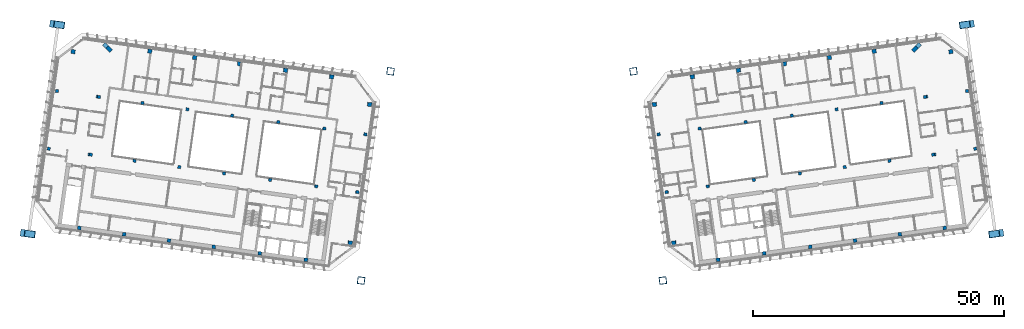
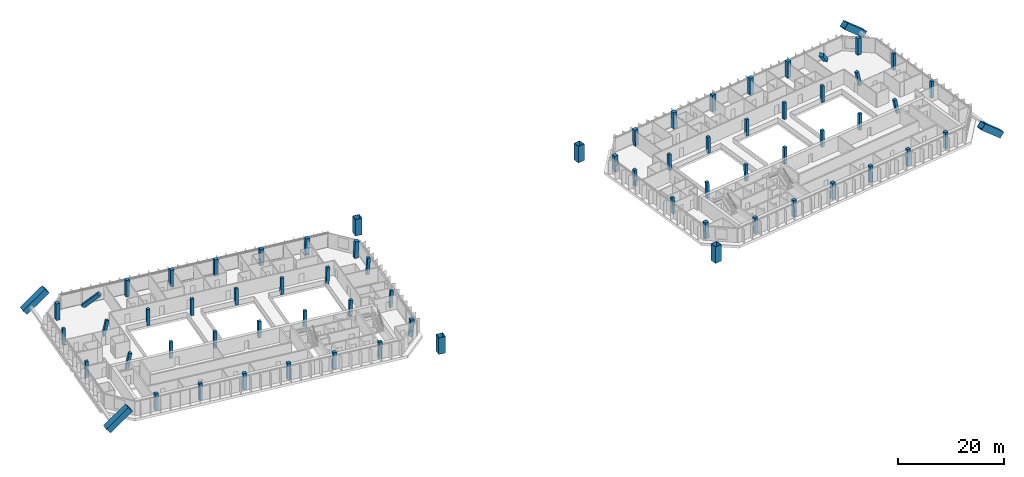
# One storey, part 1 of 32: 70 columns.
"""IFC4 building model written with IfcOpenShell, lengths in metres."""

from ifc_helpers import new_model, si_unit, direction, frame, origin, origin_2d, place, context, subcontext, project, spatial, rectangle, hollow_rectangle, extrude, material, material_profile, profile_set, type_object, element, save


model = new_model("IFC4")

# Units and contexts
model_context = context("Model", 3, precision=1e-05, world=origin(), true_north=direction((0.0, 1.0)))
body_context = subcontext(model_context, "Body", "Model", "MODEL_VIEW")
ifc_project = project(units=[si_unit("LENGTHUNIT", "METRE"), si_unit("AREAUNIT", "SQUARE_METRE"), si_unit("VOLUMEUNIT", "CUBIC_METRE"), si_unit("PLANEANGLEUNIT", "RADIAN"), si_unit("MASSUNIT", "GRAM", prefix="KILO")], contexts=[model_context])

# Site, building, storey
site_placement = place(None, origin())
site = spatial("IfcSite", under=ifc_project, at=site_placement, CompositionType="ELEMENT")
building_placement = place(site_placement, origin())
building = spatial("IfcBuilding", under=site, at=building_placement, Name="Mirante Cascada Hotel Towers", CompositionType="ELEMENT")
storey_placement = place(building_placement, frame((0.0, 0.0, 176.4)))
storey = spatial("IfcBuildingStorey", under=building, at=storey_placement, Name="L41", CompositionType="ELEMENT", Elevation=176.4)

# Columns
ifc_material_1 = material(Name="Steel ASTM A572 Gr 50", Category="steel")
ifc_material_profile_1 = material_profile(ifc_material_1, hollow_rectangle(XDim=1.4, YDim=1.4, WallThickness=0.06, at=origin_2d()), Name="Box column 1400x1400x60 ASTM A572 Gr 50")
ifc_profile_set_1 = profile_set([ifc_material_profile_1], Name="Steel ASTM A572 Gr 50")
column_type_1 = type_object("IfcColumnType", Name="Box column 1400x1400x60 ASTM A572 Gr 50", PredefinedType="COLUMN", material=ifc_profile_set_1)
for number, where, z_axis, x_axis, name in (
    (1, (-24.158, 18.3853, 0.0), (0.0, 0.0, 1.0), (-0.9902681, 0.1391731, 0.0), "Mega column MC1 T1 L41"),
    (2, (-30.0033, -23.2059, 0.0), (0.0, 0.0, 1.0), (-0.9902681, 0.1391731, 0.0), "Mega column MC2 T1 L41"),
):
    element("IfcColumn", number, at=place(storey_placement, frame(where, z_axis=z_axis, x_axis=x_axis)), inside=storey, type_object=column_type_1, Name=name, PredefinedType="COLUMN", context=body_context, shape_type="SweptSolid", body=[
        extrude(hollow_rectangle(XDim=1.4, YDim=1.4, WallThickness=0.06, at=origin_2d()), origin(), (0.0, 0.0, 1.0), 3.8),
    ])
for number, where, z_axis, x_axis, name in (
    (3, (-91.4448, 27.8419, 0.0), (0.7565937, -0.106336, 0.6451811), (0.1391779, 0.9902674, 0.0), "Mega column MC3 T1 L41"),
    (4, (-97.2901, -13.7494, 0.0), (0.7565937, -0.106336, 0.6451811), (0.1391779, 0.9902674, 0.0), "Mega column MC4 T1 L41"),
):
    element("IfcColumn", number, at=place(storey_placement, frame(where, z_axis=z_axis, x_axis=x_axis)), inside=storey, type_object=column_type_1, Name=name, PredefinedType="COLUMN", context=body_context, shape_type="SweptSolid", body=[
        extrude(hollow_rectangle(XDim=1.4, YDim=1.4, WallThickness=0.06, at=origin_2d()), origin(), (0.0, 0.0, 1.0), 5.8898),
    ])
for number, where, z_axis, x_axis, name in (
    (5, (24.158, 18.3853, 0.0), (0.0, 0.0, 1.0), (0.9902681, 0.1391731, 0.0), "Mega column MC1 T2 L41"),
    (6, (30.0033, -23.2059, 0.0), (0.0, 0.0, 1.0), (0.9902681, 0.1391731, 0.0), "Mega column MC2 T2 L41"),
):
    element("IfcColumn", number, at=place(storey_placement, frame(where, z_axis=z_axis, x_axis=x_axis)), inside=storey, type_object=column_type_1, Name=name, PredefinedType="COLUMN", context=body_context, shape_type="SweptSolid", body=[
        extrude(hollow_rectangle(XDim=1.4, YDim=1.4, WallThickness=0.06, at=origin_2d()), origin(), (0.0, 0.0, 1.0), 3.8),
    ])
for number, where, z_axis, x_axis, name in (
    (7, (91.4448, 27.8419, 0.0), (-0.7565937, -0.106336, 0.6451811), (0.1391779, -0.9902674, 0.0), "Mega column MC3 T2 L41"),
    (8, (97.2901, -13.7494, 0.0), (-0.7565937, -0.106336, 0.6451811), (0.1391779, -0.9902674, 0.0), "Mega column MC4 T2 L41"),
):
    element("IfcColumn", number, at=place(storey_placement, frame(where, z_axis=z_axis, x_axis=x_axis)), inside=storey, type_object=column_type_1, Name=name, PredefinedType="COLUMN", context=body_context, shape_type="SweptSolid", body=[
        extrude(hollow_rectangle(XDim=1.4, YDim=1.4, WallThickness=0.06, at=origin_2d()), origin(), (0.0, 0.0, 1.0), 5.8898),
    ])
ifc_material_2 = material(Name="Concrete C50/60", Category="concrete")
ifc_material_profile_2 = material_profile(ifc_material_2, rectangle(XDim=0.6, YDim=0.6, at=origin_2d()), Name="RC column 600x600 C50/60")
ifc_profile_set_2 = profile_set([ifc_material_profile_2], Name="Concrete C50/60")
column_type_2 = type_object("IfcColumnType", Name="RC column 600x600 C50/60", PredefinedType="COLUMN", material=ifc_profile_set_2)
for number, where, z_axis, x_axis, name in (
    (9, (-29.1907, 5.8639, 0.004), (0.0529306, -0.0074524, 0.9985704), (0.1394209, 0.9902332, 0.0), "Column T1 L41 2"),
    (10, (-30.8051, -5.6232, 0.004), (0.0529306, -0.0074524, 0.9985704), (0.1394209, 0.9902332, 0.0), "Column T1 L41 3"),
):
    element("IfcColumn", number, at=place(storey_placement, frame(where, z_axis=z_axis, x_axis=x_axis)), inside=storey, type_object=column_type_2, Name=name, PredefinedType="COLUMN", context=body_context, shape_type="SweptSolid", body=[
        extrude(rectangle(XDim=0.6, YDim=0.6, at=origin_2d()), origin(), (0.0, 0.0, 1.0), 3.7974),
    ])
for number, where, z_axis, x_axis, name in (
    (11, (-37.3439, 7.0098, 0.004), (0.0412879, -0.005823, 0.9991303), (0.1396518, 0.9902007, 0.0), "Column T1 L41 6"),
    (12, (-38.9583, -4.4773, 0.004), (0.0412616, -0.005823, 0.9991314), (0.1397392, 0.9901883, 0.0), "Column T1 L41 7"),
):
    element("IfcColumn", number, at=place(storey_placement, frame(where, z_axis=z_axis, x_axis=x_axis)), inside=storey, type_object=column_type_2, Name=name, PredefinedType="COLUMN", context=body_context, shape_type="SweptSolid", body=[
        extrude(rectangle(XDim=0.6, YDim=0.6, at=origin_2d()), origin(), (0.0, 0.0, 1.0), 3.7953),
    ])
for number, where, z_axis, x_axis, name in (
    (13, (-46.4908, 8.2953, 0.004), (0.0206442, -0.0029002, 0.9997827), (0.1391192, 0.9902756, 0.0), "Column T1 L41 10"),
    (14, (-48.1053, -3.1918, 0.004), (0.0206706, -0.0029002, 0.9997821), (0.1389452, 0.9903001, 0.0), "Column T1 L41 11"),
):
    element("IfcColumn", number, at=place(storey_placement, frame(where, z_axis=z_axis, x_axis=x_axis)), inside=storey, type_object=column_type_2, Name=name, PredefinedType="COLUMN", context=body_context, shape_type="SweptSolid", body=[
        extrude(rectangle(XDim=0.6, YDim=0.6, at=origin_2d()), origin(), (0.0, 0.0, 1.0), 3.7928),
    ])
for number, where, z_axis, x_axis, name in (
    (15, (-55.6378, 9.5808, 0.0), (0.0, 0.0, 1.0), (-0.9902681, 0.1391731, 0.0), "Column T1 L41 14"),
    (16, (-57.2522, -1.9063, 0.0), (0.0, 0.0, 1.0), (-0.9902681, 0.1391731, 0.0), "Column T1 L41 15"),
    (17, (-64.5502, 10.8333, 0.0), (0.0, 0.0, 1.0), (-0.9902681, 0.1391731, 0.0), "Column T1 L41 18"),
    (18, (-66.1646, -0.6538, 0.0), (0.0, 0.0, 1.0), (-0.9902681, 0.1391731, 0.0), "Column T1 L41 19"),
    (19, (-73.4626, 12.0859, 0.0), (0.0, 0.0, 1.0), (-0.9902681, 0.1391731, 0.0), "Column T1 L41 22"),
    (20, (-75.077, 0.5988, 0.0), (0.0, 0.0, 1.0), (-0.9902681, 0.1391731, 0.0), "Column T1 L41 23"),
):
    element("IfcColumn", number, at=place(storey_placement, frame(where, z_axis=z_axis, x_axis=x_axis)), inside=storey, type_object=column_type_2, Name=name, PredefinedType="COLUMN", context=body_context, shape_type="SweptSolid", body=[
        extrude(rectangle(XDim=0.6, YDim=0.6, at=origin_2d()), origin(), (0.0, 0.0, 1.0), 3.8),
    ])
for number, where, z_axis, x_axis, name in (
    (21, (-82.389, 13.3404, 0.0039), (0.2076456, -0.0291627, 0.9777693), (0.1390797, 0.9902812, 0.0), "Column T1 L41 26"),
    (22, (-84.0034, 1.8533, 0.0039), (0.2076454, -0.0291919, 0.9777685), (0.1392164, 0.990262, 0.0), "Column T1 L41 27"),
):
    element("IfcColumn", number, at=place(storey_placement, frame(where, z_axis=z_axis, x_axis=x_axis)), inside=storey, type_object=column_type_2, Name=name, PredefinedType="COLUMN", context=body_context, shape_type="SweptSolid", body=[
        extrude(rectangle(XDim=0.6, YDim=0.6, at=origin_2d()), origin(), (0.0, 0.0, 1.0), 3.4222),
    ])
for number, where, z_axis, x_axis, name in (
    (23, (-90.4952, 14.4797, 0.0), (0.0, 0.0, 1.0), (-0.9902681, 0.1391731, 0.0), "Column T1 L41 30"),
    (24, (-92.1096, 2.9926, 0.0), (0.0, 0.0, 1.0), (-0.9902681, 0.1391731, 0.0), "Column T1 L41 31"),
):
    element("IfcColumn", number, at=place(storey_placement, frame(where, z_axis=z_axis, x_axis=x_axis)), inside=storey, type_object=column_type_2, Name=name, PredefinedType="COLUMN", context=body_context, shape_type="SweptSolid", body=[
        extrude(rectangle(XDim=0.6, YDim=0.6, at=origin_2d()), origin(), (0.0, 0.0, 1.0), 3.8),
    ])
for number, where, z_axis, x_axis, name in (
    (25, (29.1907, 5.8639, 0.004), (-0.0529306, -0.0074524, 0.9985704), (0.1394209, -0.9902332, 0.0), "Column T2 L41 2"),
    (26, (30.8051, -5.6232, 0.004), (-0.0529306, -0.0074524, 0.9985704), (0.1394209, -0.9902332, 0.0), "Column T2 L41 3"),
):
    element("IfcColumn", number, at=place(storey_placement, frame(where, z_axis=z_axis, x_axis=x_axis)), inside=storey, type_object=column_type_2, Name=name, PredefinedType="COLUMN", context=body_context, shape_type="SweptSolid", body=[
        extrude(rectangle(XDim=0.6, YDim=0.6, at=origin_2d()), origin(), (0.0, 0.0, 1.0), 3.7974),
    ])
for number, where, z_axis, x_axis, name in (
    (27, (37.3439, 7.0098, 0.004), (-0.0412879, -0.005823, 0.9991303), (0.1396518, -0.9902007, 0.0), "Column T2 L41 6"),
    (28, (38.9583, -4.4773, 0.004), (-0.0412616, -0.005823, 0.9991314), (0.1397392, -0.9901883, 0.0), "Column T2 L41 7"),
):
    element("IfcColumn", number, at=place(storey_placement, frame(where, z_axis=z_axis, x_axis=x_axis)), inside=storey, type_object=column_type_2, Name=name, PredefinedType="COLUMN", context=body_context, shape_type="SweptSolid", body=[
        extrude(rectangle(XDim=0.6, YDim=0.6, at=origin_2d()), origin(), (0.0, 0.0, 1.0), 3.7953),
    ])
for number, where, z_axis, x_axis, name in (
    (29, (46.4908, 8.2953, 0.004), (-0.0206442, -0.0029002, 0.9997827), (0.1391192, -0.9902756, 0.0), "Column T2 L41 10"),
    (30, (48.1053, -3.1918, 0.004), (-0.0206706, -0.0029002, 0.9997821), (0.1389452, -0.9903001, 0.0), "Column T2 L41 11"),
):
    element("IfcColumn", number, at=place(storey_placement, frame(where, z_axis=z_axis, x_axis=x_axis)), inside=storey, type_object=column_type_2, Name=name, PredefinedType="COLUMN", context=body_context, shape_type="SweptSolid", body=[
        extrude(rectangle(XDim=0.6, YDim=0.6, at=origin_2d()), origin(), (0.0, 0.0, 1.0), 3.7928),
    ])
for number, where, z_axis, x_axis, name in (
    (31, (55.6378, 9.5808, 0.0), (0.0, 0.0, 1.0), (0.9902681, 0.1391731, 0.0), "Column T2 L41 14"),
    (32, (57.2522, -1.9063, 0.0), (0.0, 0.0, 1.0), (0.9902681, 0.1391731, 0.0), "Column T2 L41 15"),
    (33, (64.5502, 10.8333, 0.0), (0.0, 0.0, 1.0), (0.9902681, 0.1391731, 0.0), "Column T2 L41 18"),
    (34, (66.1646, -0.6538, 0.0), (0.0, 0.0, 1.0), (0.9902681, 0.1391731, 0.0), "Column T2 L41 19"),
    (35, (73.4626, 12.0859, 0.0), (0.0, 0.0, 1.0), (0.9902681, 0.1391731, 0.0), "Column T2 L41 22"),
    (36, (75.077, 0.5988, 0.0), (0.0, 0.0, 1.0), (0.9902681, 0.1391731, 0.0), "Column T2 L41 23"),
):
    element("IfcColumn", number, at=place(storey_placement, frame(where, z_axis=z_axis, x_axis=x_axis)), inside=storey, type_object=column_type_2, Name=name, PredefinedType="COLUMN", context=body_context, shape_type="SweptSolid", body=[
        extrude(rectangle(XDim=0.6, YDim=0.6, at=origin_2d()), origin(), (0.0, 0.0, 1.0), 3.8),
    ])
for number, where, z_axis, x_axis, name in (
    (37, (82.389, 13.3404, 0.0039), (-0.2076456, -0.0291627, 0.9777693), (0.1390797, -0.9902812, 0.0), "Column T2 L41 26"),
    (38, (84.0034, 1.8533, 0.0039), (-0.2076454, -0.0291919, 0.9777685), (0.1392164, -0.990262, 0.0), "Column T2 L41 27"),
):
    element("IfcColumn", number, at=place(storey_placement, frame(where, z_axis=z_axis, x_axis=x_axis)), inside=storey, type_object=column_type_2, Name=name, PredefinedType="COLUMN", context=body_context, shape_type="SweptSolid", body=[
        extrude(rectangle(XDim=0.6, YDim=0.6, at=origin_2d()), origin(), (0.0, 0.0, 1.0), 3.4222),
    ])
for number, where, z_axis, x_axis, name in (
    (39, (90.4952, 14.4797, 0.0), (0.0, 0.0, 1.0), (0.9902681, 0.1391731, 0.0), "Column T2 L41 30"),
    (40, (92.1096, 2.9926, 0.0), (0.0, 0.0, 1.0), (0.9902681, 0.1391731, 0.0), "Column T2 L41 31"),
):
    element("IfcColumn", number, at=place(storey_placement, frame(where, z_axis=z_axis, x_axis=x_axis)), inside=storey, type_object=column_type_2, Name=name, PredefinedType="COLUMN", context=body_context, shape_type="SweptSolid", body=[
        extrude(rectangle(XDim=0.6, YDim=0.6, at=origin_2d()), origin(), (0.0, 0.0, 1.0), 3.8),
    ])
ifc_material_3 = material(Name="Concrete C50/60", Category="concrete")
ifc_material_profile_3 = material_profile(ifc_material_3, rectangle(XDim=0.7, YDim=0.7, at=origin_2d()), Name="RC column 700x700 C50/60")
ifc_profile_set_3 = profile_set([ifc_material_profile_3], Name="Concrete C50/60")
column_type_3 = type_object("IfcColumnType", Name="RC column 700x700 C50/60", PredefinedType="COLUMN", material=ifc_profile_set_3)
column_1_placement = place(storey_placement, frame((-41.0111, -19.0838, 0.004), z_axis=(0.0412616, -0.0057966, 0.9991316), x_axis=(0.1391192, 0.9902756, 0.0)))
element("IfcColumn", 41, at=column_1_placement, inside=storey, type_object=column_type_3, Name="Column T1 L41 8", PredefinedType="COLUMN", context=body_context, shape_type="SweptSolid", body=[
    extrude(rectangle(XDim=0.7, YDim=0.7, at=origin_2d()), origin(), (0.0, 0.0, 1.0), 3.7953),
])
column_2_placement = place(storey_placement, frame((-50.1581, -17.7983, 0.004), z_axis=(0.0206706, -0.0029002, 0.9997821), x_axis=(0.1389452, 0.9903001, 0.0)))
element("IfcColumn", 42, at=column_2_placement, inside=storey, type_object=column_type_3, Name="Column T1 L41 12", PredefinedType="COLUMN", context=body_context, shape_type="SweptSolid", body=[
    extrude(rectangle(XDim=0.7, YDim=0.7, at=origin_2d()), origin(), (0.0, 0.0, 1.0), 3.7928),
])
for number, where, z_axis, x_axis, name in (
    (43, (-59.305, -16.5128, 0.0), (0.0, 0.0, 1.0), (-0.9902681, 0.1391731, 0.0), "Column T1 L41 16"),
    (44, (-68.2174, -15.2602, 0.0), (0.0, 0.0, 1.0), (-0.9902681, 0.1391731, 0.0), "Column T1 L41 20"),
    (45, (-77.1298, -14.0077, 0.0), (0.0, 0.0, 1.0), (-0.9902681, 0.1391731, 0.0), "Column T1 L41 24"),
    (46, (-86.0422, -12.7551, 0.0), (0.0, 0.0, 1.0), (-0.9902681, 0.1391731, 0.0), "Column T1 L41 28"),
):
    element("IfcColumn", number, at=place(storey_placement, frame(where, z_axis=z_axis, x_axis=x_axis)), inside=storey, type_object=column_type_3, Name=name, PredefinedType="COLUMN", context=body_context, shape_type="SweptSolid", body=[
        extrude(rectangle(XDim=0.7, YDim=0.7, at=origin_2d()), origin(), (0.0, 0.0, 1.0), 3.8),
    ])
column_3_placement = place(storey_placement, frame((41.0111, -19.0838, 0.004), z_axis=(-0.0412616, -0.0057966, 0.9991316), x_axis=(0.1391192, -0.9902756, 0.0)))
element("IfcColumn", 47, at=column_3_placement, inside=storey, type_object=column_type_3, Name="Column T2 L41 8", PredefinedType="COLUMN", context=body_context, shape_type="SweptSolid", body=[
    extrude(rectangle(XDim=0.7, YDim=0.7, at=origin_2d()), origin(), (0.0, 0.0, 1.0), 3.7953),
])
column_4_placement = place(storey_placement, frame((50.1581, -17.7983, 0.004), z_axis=(-0.0206706, -0.0029002, 0.9997821), x_axis=(0.1389452, -0.9903001, 0.0)))
element("IfcColumn", 48, at=column_4_placement, inside=storey, type_object=column_type_3, Name="Column T2 L41 12", PredefinedType="COLUMN", context=body_context, shape_type="SweptSolid", body=[
    extrude(rectangle(XDim=0.7, YDim=0.7, at=origin_2d()), origin(), (0.0, 0.0, 1.0), 3.7928),
])
for number, where, z_axis, x_axis, name in (
    (49, (59.305, -16.5128, 0.0), (0.0, 0.0, 1.0), (0.9902681, 0.1391731, 0.0), "Column T2 L41 16"),
    (50, (68.2174, -15.2602, 0.0), (0.0, 0.0, 1.0), (0.9902681, 0.1391731, 0.0), "Column T2 L41 20"),
    (51, (77.1298, -14.0077, 0.0), (0.0, 0.0, 1.0), (0.9902681, 0.1391731, 0.0), "Column T2 L41 24"),
    (52, (86.0422, -12.7551, 0.0), (0.0, 0.0, 1.0), (0.9902681, 0.1391731, 0.0), "Column T2 L41 28"),
):
    element("IfcColumn", number, at=place(storey_placement, frame(where, z_axis=z_axis, x_axis=x_axis)), inside=storey, type_object=column_type_3, Name=name, PredefinedType="COLUMN", context=body_context, shape_type="SweptSolid", body=[
        extrude(rectangle(XDim=0.7, YDim=0.7, at=origin_2d()), origin(), (0.0, 0.0, 1.0), 3.8),
    ])
ifc_material_4 = material(Name="Concrete C50/60", Category="concrete")
ifc_material_profile_4 = material_profile(ifc_material_4, rectangle(XDim=0.8, YDim=0.8, at=origin_2d()), Name="RC column 800x800 C50/60")
ifc_profile_set_4 = profile_set([ifc_material_profile_4], Name="Concrete C50/60")
column_type_4 = type_object("IfcColumnType", Name="RC column 800x800 C50/60", PredefinedType="COLUMN", material=ifc_profile_set_4)
for number, where, z_axis, x_axis, name in (
    (53, (-28.3557, 11.8055, 0.004), (0.0529568, -0.0074261, 0.9985692), (0.13887, 0.9903106, 0.0), "Column T1 L41 1"),
    (54, (-32.2247, -15.7239, 0.004), (0.0529306, -0.0074524, 0.9985704), (0.1394209, 0.9902332, 0.0), "Column T1 L41 4"),
):
    element("IfcColumn", number, at=place(storey_placement, frame(where, z_axis=z_axis, x_axis=x_axis)), inside=storey, type_object=column_type_4, Name=name, PredefinedType="COLUMN", context=body_context, shape_type="SweptSolid", body=[
        extrude(rectangle(XDim=0.8, YDim=0.8, at=origin_2d()), origin(), (0.0, 0.0, 1.0), 3.7974),
    ])
column_5_placement = place(storey_placement, frame((-35.8965, 17.3085, 0.004), z_axis=(0.0412879, -0.0057966, 0.9991305), x_axis=(0.1390321, 0.9902879, 0.0)))
element("IfcColumn", 55, at=column_5_placement, inside=storey, type_object=column_type_4, Name="Column T1 L41 5", PredefinedType="COLUMN", context=body_context, shape_type="SweptSolid", body=[
    extrude(rectangle(XDim=0.8, YDim=0.8, at=origin_2d()), origin(), (0.0, 0.0, 1.0), 3.7953),
])
column_6_placement = place(storey_placement, frame((-45.0434, 18.5941, 0.004), z_axis=(0.0206442, -0.0029002, 0.9997827), x_axis=(0.1391192, 0.9902756, 0.0)))
element("IfcColumn", 56, at=column_6_placement, inside=storey, type_object=column_type_4, Name="Column T1 L41 9", PredefinedType="COLUMN", context=body_context, shape_type="SweptSolid", body=[
    extrude(rectangle(XDim=0.8, YDim=0.8, at=origin_2d()), origin(), (0.0, 0.0, 1.0), 3.7928),
])
for number, where, z_axis, x_axis, name in (
    (57, (-54.1904, 19.8796, 0.0), (0.0, 0.0, 1.0), (-0.9902681, 0.1391731, 0.0), "Column T1 L41 13"),
    (58, (-63.1028, 21.1321, 0.0), (0.0, 0.0, 1.0), (-0.9902681, 0.1391731, 0.0), "Column T1 L41 17"),
    (59, (-72.0152, 22.3847, 0.0), (0.0, 0.0, 1.0), (-0.9902681, 0.1391731, 0.0), "Column T1 L41 21"),
):
    element("IfcColumn", number, at=place(storey_placement, frame(where, z_axis=z_axis, x_axis=x_axis)), inside=storey, type_object=column_type_4, Name=name, PredefinedType="COLUMN", context=body_context, shape_type="SweptSolid", body=[
        extrude(rectangle(XDim=0.8, YDim=0.8, at=origin_2d()), origin(), (0.0, 0.0, 1.0), 3.8),
    ])
column_7_placement = place(storey_placement, frame((-80.9405, 23.6374, 0.0029), z_axis=(0.4896093, -0.4903417, 0.7210046), x_axis=(0.7076351, 0.7065781, 0.0)))
element("IfcColumn", 60, at=column_7_placement, inside=storey, type_object=column_type_4, Name="Column T1 L41 25", PredefinedType="COLUMN", context=body_context, shape_type="SweptSolid", body=[
    extrude(rectangle(XDim=0.8, YDim=0.8, at=origin_2d()), origin(), (0.0, 0.0, 1.0), 4.6423),
])
column_8_placement = place(storey_placement, frame((-87.2744, 22.3076, 0.0), z_axis=(0.0, 0.0, 1.0), x_axis=(-0.9902681, 0.1391731, 0.0)))
element("IfcColumn", 61, at=column_8_placement, inside=storey, type_object=column_type_4, Name="Column T1 L41 29", PredefinedType="COLUMN", context=body_context, shape_type="SweptSolid", body=[
    extrude(rectangle(XDim=0.8, YDim=0.8, at=origin_2d()), origin(), (0.0, 0.0, 1.0), 3.8),
])
for number, where, z_axis, x_axis, name in (
    (62, (28.3557, 11.8055, 0.004), (-0.0529568, -0.0074261, 0.9985692), (0.13887, -0.9903106, 0.0), "Column T2 L41 1"),
    (63, (32.2247, -15.7239, 0.004), (-0.0529306, -0.0074524, 0.9985704), (0.1394209, -0.9902332, 0.0), "Column T2 L41 4"),
):
    element("IfcColumn", number, at=place(storey_placement, frame(where, z_axis=z_axis, x_axis=x_axis)), inside=storey, type_object=column_type_4, Name=name, PredefinedType="COLUMN", context=body_context, shape_type="SweptSolid", body=[
        extrude(rectangle(XDim=0.8, YDim=0.8, at=origin_2d()), origin(), (0.0, 0.0, 1.0), 3.7974),
    ])
column_9_placement = place(storey_placement, frame((35.8965, 17.3085, 0.004), z_axis=(-0.0412879, -0.0057966, 0.9991305), x_axis=(0.1390321, -0.9902879, 0.0)))
element("IfcColumn", 64, at=column_9_placement, inside=storey, type_object=column_type_4, Name="Column T2 L41 5", PredefinedType="COLUMN", context=body_context, shape_type="SweptSolid", body=[
    extrude(rectangle(XDim=0.8, YDim=0.8, at=origin_2d()), origin(), (0.0, 0.0, 1.0), 3.7953),
])
column_10_placement = place(storey_placement, frame((45.0434, 18.5941, 0.004), z_axis=(-0.0206442, -0.0029002, 0.9997827), x_axis=(0.1391192, -0.9902756, 0.0)))
element("IfcColumn", 65, at=column_10_placement, inside=storey, type_object=column_type_4, Name="Column T2 L41 9", PredefinedType="COLUMN", context=body_context, shape_type="SweptSolid", body=[
    extrude(rectangle(XDim=0.8, YDim=0.8, at=origin_2d()), origin(), (0.0, 0.0, 1.0), 3.7928),
])
for number, where, z_axis, x_axis, name in (
    (66, (54.1904, 19.8796, 0.0), (0.0, 0.0, 1.0), (0.9902681, 0.1391731, 0.0), "Column T2 L41 13"),
    (67, (63.1028, 21.1321, 0.0), (0.0, 0.0, 1.0), (0.9902681, 0.1391731, 0.0), "Column T2 L41 17"),
    (68, (72.0152, 22.3847, 0.0), (0.0, 0.0, 1.0), (0.9902681, 0.1391731, 0.0), "Column T2 L41 21"),
):
    element("IfcColumn", number, at=place(storey_placement, frame(where, z_axis=z_axis, x_axis=x_axis)), inside=storey, type_object=column_type_4, Name=name, PredefinedType="COLUMN", context=body_context, shape_type="SweptSolid", body=[
        extrude(rectangle(XDim=0.8, YDim=0.8, at=origin_2d()), origin(), (0.0, 0.0, 1.0), 3.8),
    ])
column_11_placement = place(storey_placement, frame((80.9405, 23.6374, 0.0029), z_axis=(-0.4896093, -0.4903417, 0.7210046), x_axis=(0.7076351, -0.7065781, 0.0)))
element("IfcColumn", 69, at=column_11_placement, inside=storey, type_object=column_type_4, Name="Column T2 L41 25", PredefinedType="COLUMN", context=body_context, shape_type="SweptSolid", body=[
    extrude(rectangle(XDim=0.8, YDim=0.8, at=origin_2d()), origin(), (0.0, 0.0, 1.0), 4.6423),
])
column_12_placement = place(storey_placement, frame((87.2744, 22.3076, 0.0), z_axis=(0.0, 0.0, 1.0), x_axis=(0.9902681, 0.1391731, 0.0)))
element("IfcColumn", 70, at=column_12_placement, inside=storey, type_object=column_type_4, Name="Column T2 L41 29", PredefinedType="COLUMN", context=body_context, shape_type="SweptSolid", body=[
    extrude(rectangle(XDim=0.8, YDim=0.8, at=origin_2d()), origin(), (0.0, 0.0, 1.0), 3.8),
])

save(model, "model.ifc")
